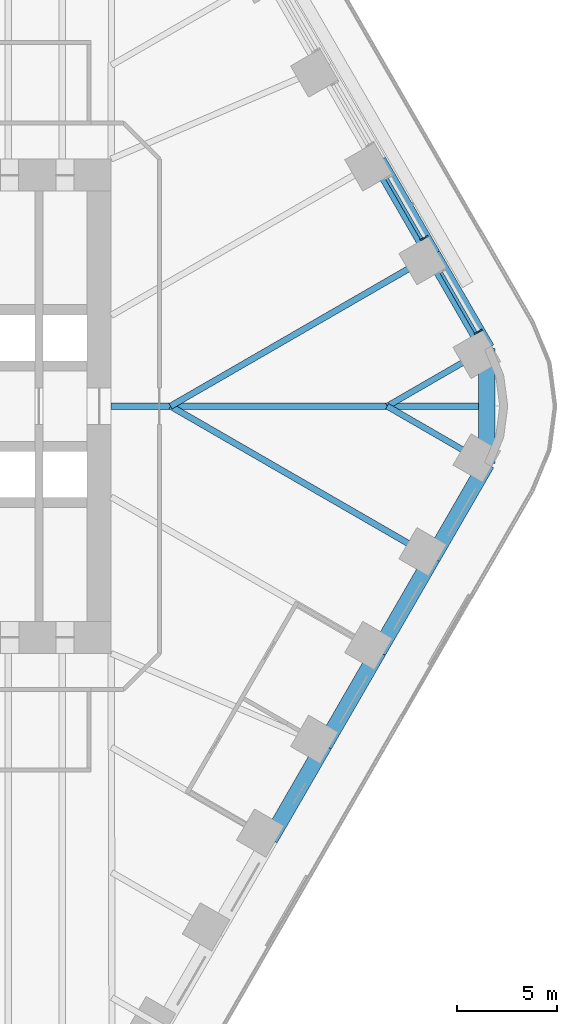
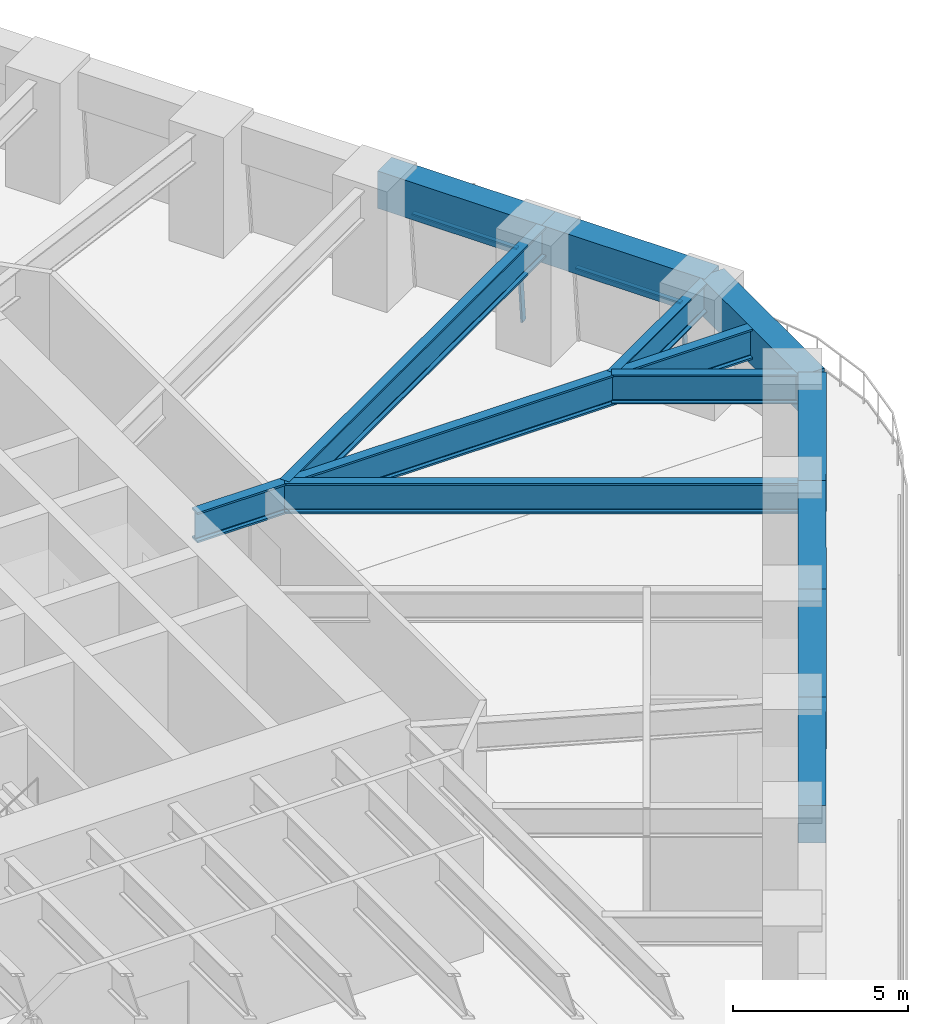
# One storey, part 12 of 23: 12 beams, 4 members, 2 elements without a shape of their own.
"""IFC4 building model written with IfcOpenShell, lengths in metres."""

from ifc_helpers import new_model, si_unit, direction, frame, origin, origin_2d, place, context, subcontext, project, spatial, rectangle, i_section, extrude, material, material_profile, profile_set, type_object, element, aggregate, save


model = new_model("IFC4")

# Units and contexts
model_context = context("Model", 3, precision=1e-05, world=origin(), true_north=direction((0.0, 1.0)))
body_context = subcontext(model_context, "Body", "Model", "MODEL_VIEW")
ifc_project = project(units=[si_unit("LENGTHUNIT", "METRE"), si_unit("AREAUNIT", "SQUARE_METRE"), si_unit("VOLUMEUNIT", "CUBIC_METRE"), si_unit("PLANEANGLEUNIT", "RADIAN"), si_unit("MASSUNIT", "GRAM", prefix="KILO")], contexts=[model_context])

# Site, building, storey
site_placement = place(None, origin())
site = spatial("IfcSite", under=ifc_project, at=site_placement, CompositionType="ELEMENT")
building_placement = place(site_placement, origin())
building = spatial("IfcBuilding", under=site, at=building_placement, Name="Tarfa Lantern Tower", CompositionType="ELEMENT")
storey_placement = place(building_placement, frame((0.0, 0.0, 86.5)))
storey = spatial("IfcBuildingStorey", under=building, at=storey_placement, Name="L19", CompositionType="ELEMENT", Elevation=86.5)

# Curtain wall, member
ifc_material_1 = material(Name="Aluminium framed curtain wall", Category="aluminium")
curtain_wall_type = type_object("IfcCurtainWallType", Name="CW1 CANTED GLAZING LOW ZONE 2700", PredefinedType="USERDEFINED", material=ifc_material_1)
curtain_wall_1_placement = place(storey_placement, origin())
curtain_wall_1 = element("IfcCurtainWall", 1, at=curtain_wall_1_placement, inside=storey, type_object=curtain_wall_type, Name="CW1 NE L19", ObjectType="CURTAIN WALL", PredefinedType="USERDEFINED")
ifc_material_2 = material(Name="Aluminium mullion", Category="aluminium")
ifc_material_profile_1 = material_profile(ifc_material_2, rectangle(XDim=0.06494140625, YDim=0.199951171875, at=origin_2d()), Name="AL MULLION 65x200")
ifc_profile_set_1 = profile_set([ifc_material_profile_1], Name="Aluminium mullion")
member_type_1 = type_object("IfcMemberType", Name="CWM1 MULLION 65x200", PredefinedType="MULLION", material=ifc_profile_set_1)
member_1_placement = place(storey_placement, frame((36.974853515625, 3.757568359375, 0.0), z_axis=(-0.07986442134, -0.046099868913, 0.99573916077), x_axis=(0.499919672301, -0.866071776036, 0.0)))
member_1 = element("IfcMember", 2, at=member_1_placement, type_object=member_type_1, Name="CW1 mullion 1", PredefinedType="MULLION", context=body_context, shape_type="SweptSolid", body=[
    extrude(rectangle(XDim=0.06494140625, YDim=0.199951171875, at=origin_2d()), origin(), (0.0, 0.0, 1.0), 2.71142578125),
])

curtain_wall_2_placement = place(storey_placement, origin())
curtain_wall_2 = element("IfcCurtainWall", 3, at=curtain_wall_2_placement, inside=storey, type_object=curtain_wall_type, Name="CW1 NE L19", ObjectType="CURTAIN WALL", PredefinedType="USERDEFINED")
member_2_placement = place(storey_placement, frame((34.280517578125, 8.42431640625, 0.0), z_axis=(-0.079774955866, -0.04610020023, 0.995746317068), x_axis=(0.500342721131, -0.865827443207, 0.0)))
member_2 = element("IfcMember", 4, at=member_2_placement, type_object=member_type_1, Name="CW1 mullion 1", PredefinedType="MULLION", context=body_context, shape_type="SweptSolid", body=[
    extrude(rectangle(XDim=0.06494140625, YDim=0.199951171875, at=origin_2d()), origin(), (0.0, 0.0, 1.0), 2.71142578125),
])

# Member
ifc_material_3 = material(Name="Aluminium transom", Category="aluminium")
ifc_material_profile_2 = material_profile(ifc_material_3, rectangle(XDim=0.14990234375, YDim=0.06494140625, at=origin_2d()), Name="AL TRANSOM 150x65")
ifc_profile_set_2 = profile_set([ifc_material_profile_2], Name="Aluminium transom")
member_type_2 = type_object("IfcMemberType", Name="CWT1 TRANSOM 150x65", PredefinedType="USERDEFINED", material=ifc_profile_set_2)
member_3_placement = place(storey_placement, frame((36.744873046875, 3.662109375, 2.66748046875), z_axis=(-0.500025915891, 0.866010440721, 0.0), x_axis=(-0.866010440721, -0.500025915891, 0.0)))
member_3 = element("IfcMember", 5, at=member_3_placement, type_object=member_type_2, Name="CW1 transom 1.2", ObjectType="TRANSOM", PredefinedType="USERDEFINED", context=body_context, shape_type="SweptSolid", body=[
    extrude(rectangle(XDim=0.14990234375, YDim=0.06494140625, at=origin_2d()), origin(), (0.0, 0.0, 1.0), 3.458740234375),
])

aggregate(curtain_wall_1, [member_1, member_3])

member_4_placement = place(storey_placement, frame((34.050537109375, 8.328857421875, 2.66748046875), z_axis=(-0.500025915891, 0.866010440721, 0.0), x_axis=(-0.866010440721, -0.500025915891, 0.0)))
member_4 = element("IfcMember", 6, at=member_4_placement, type_object=member_type_2, Name="CW1 transom 1.2", ObjectType="TRANSOM", PredefinedType="USERDEFINED", context=body_context, shape_type="SweptSolid", body=[
    extrude(rectangle(XDim=0.14990234375, YDim=0.06494140625, at=origin_2d()), origin(), (0.0, 0.0, 1.0), 3.458740234375),
])

aggregate(curtain_wall_2, [member_2, member_4])

# Beams
ifc_material_4 = material(Name="Concrete C80/95", Category="concrete")
ifc_material_profile_3 = material_profile(ifc_material_4, rectangle(XDim=0.800048828125, YDim=1.300048828125, at=origin_2d()), Name="RC 800x1300")
ifc_profile_set_3 = profile_set([ifc_material_profile_3], Name="Concrete C80/95")
beam_type_1 = type_object("IfcBeamType", Name="EB1 RC 800x1300", PredefinedType="SPANDREL", material=ifc_profile_set_3)
beam_1_placement = place(storey_placement, frame((37.285400390625, 2.860107421875, 3.35009765625), z_axis=(-0.500017906299, 0.866015065331, 0.0), x_axis=(-0.866015065331, -0.500017906299, 0.0)))
element("IfcBeam", 7, at=beam_1_placement, inside=storey, type_object=beam_type_1, Name="Edge beam NE0", PredefinedType="SPANDREL", context=body_context, shape_type="SweptSolid", body=[
    extrude(rectangle(XDim=0.800048828125, YDim=1.300048828125, at=origin_2d()), origin(), (0.0, 0.0, 1.0), 5.388427734375),
])
beam_2_placement = place(storey_placement, frame((34.591064453125, 7.526611328125, 3.35009765625), z_axis=(-0.499998287579, 0.866026392449, 0.0), x_axis=(-0.866026392449, -0.499998287579, 0.0)))
element("IfcBeam", 8, at=beam_2_placement, inside=storey, type_object=beam_type_1, Name="Edge beam NE1", PredefinedType="SPANDREL", context=body_context, shape_type="SweptSolid", body=[
    extrude(rectangle(XDim=0.800048828125, YDim=1.300048828125, at=origin_2d()), origin(), (0.0, 0.0, 1.0), 5.388671875),
])
beam_3_placement = place(storey_placement, frame((26.508056640625, -21.526611328125, 3.35009765625), z_axis=(0.500017906299, 0.866015065331, 0.0), x_axis=(-0.866015065331, 0.500017906299, 0.0)))
element("IfcBeam", 9, at=beam_3_placement, inside=storey, type_object=beam_type_1, Name="Edge beam SE2", PredefinedType="SPANDREL", context=body_context, shape_type="SweptSolid", body=[
    extrude(rectangle(XDim=0.800048828125, YDim=1.300048828125, at=origin_2d()), origin(), (0.0, 0.0, 1.0), 5.388427734375),
])
for number, where, z_axis, x_axis, name in (
    (10, (29.202392578125, -16.860107421875, 3.35009765625), (0.499998287579, 0.866026392449, 0.0), (-0.866026392449, 0.499998287579, 0.0), "Edge beam SE3"),
    (11, (31.896728515625, -12.193359375, 3.35009765625), (0.499998287579, 0.866026392449, 0.0), (-0.866026392449, 0.499998287579, 0.0), "Edge beam SE4"),
):
    element("IfcBeam", number, at=place(storey_placement, frame(where, z_axis=z_axis, x_axis=x_axis)), inside=storey, type_object=beam_type_1, Name=name, PredefinedType="SPANDREL", context=body_context, shape_type="SweptSolid", body=[
        extrude(rectangle(XDim=0.800048828125, YDim=1.300048828125, at=origin_2d()), origin(), (0.0, 0.0, 1.0), 5.388671875),
    ])
beam_4_placement = place(storey_placement, frame((34.591064453125, -7.526611328125, 3.35009765625), z_axis=(0.500017906299, 0.866015065331, 0.0), x_axis=(-0.866015065331, 0.500017906299, 0.0)))
element("IfcBeam", 12, at=beam_4_placement, inside=storey, type_object=beam_type_1, Name="Edge beam SE5", PredefinedType="SPANDREL", context=body_context, shape_type="SweptSolid", body=[
    extrude(rectangle(XDim=0.800048828125, YDim=1.300048828125, at=origin_2d()), origin(), (0.0, 0.0, 1.0), 5.388427734375),
])
beam_5_placement = place(storey_placement, frame((37.285400390625, -2.860107421875, 3.35009765625), z_axis=(0.0, 1.0, 0.0), x_axis=(-1.0, 0.0, 0.0)))
element("IfcBeam", 13, at=beam_5_placement, inside=storey, type_object=beam_type_1, Name="Edge beam SE6", PredefinedType="SPANDREL", context=body_context, shape_type="SweptSolid", body=[
    extrude(rectangle(XDim=0.800048828125, YDim=1.300048828125, at=origin_2d()), origin(), (0.0, 0.0, 1.0), 5.72021484375),
])
ifc_material_5 = material(Name="Steel S460M", Category="steel")
ifc_material_profile_4 = material_profile(ifc_material_5, i_section(OverallWidth=0.302001953125, OverallDepth=1.008056640625, WebThickness=0.02099609375, FlangeThickness=0.0400390625, FilletRadius=0.030029296875, at=origin_2d()), Name="UB1016x305x349")
ifc_profile_set_4 = profile_set([ifc_material_profile_4], Name="Steel S460M")
beam_type_2 = type_object("IfcBeamType", Name="UB1016x305x349", PredefinedType="BEAM", material=ifc_profile_set_4)
for number, where, z_axis, x_axis, name in (
    (14, (37.285400390625, 2.860107421875, 3.495849609375), (-0.866025668288, -0.499999541866, 0.0), (0.499999541866, -0.866025668288, 0.0), "Floor beam NE0"),
    (15, (37.285400390625, -2.860107421875, 3.495849609375), (-0.866025668288, 0.499999541866, 0.0), (-0.499999541866, -0.866025668288, 0.0), "Floor beam SE6"),
):
    element("IfcBeam", number, at=place(storey_placement, frame(where, z_axis=z_axis, x_axis=x_axis)), inside=storey, type_object=beam_type_2, Name=name, PredefinedType="BEAM", context=body_context, shape_type="SweptSolid", body=[
        extrude(i_section(OverallWidth=0.302001953125, OverallDepth=1.008056640625, WebThickness=0.02099609375, FlangeThickness=0.0400390625, FilletRadius=0.030029296875, at=origin_2d()), origin(), (0.0, 0.0, 1.0), 5.72021484375),
    ])
ifc_material_profile_5 = material_profile(ifc_material_5, i_section(OverallWidth=0.314208984375, OverallDepth=1.055908203125, WebThickness=0.035888671875, FlangeThickness=0.06396484375, FilletRadius=0.030029296875, at=origin_2d()), Name="UB1016x305x584")
ifc_profile_set_5 = profile_set([ifc_material_profile_5], Name="Steel S460M")
beam_type_3 = type_object("IfcBeamType", Name="UB1016x305x584", PredefinedType="BEAM", material=ifc_profile_set_5)
beam_6_placement = place(storey_placement, frame((18.60009765625, 0.0, 3.471923828125), z_axis=(1.0, 0.0, 0.0), x_axis=(0.0, 1.0, 0.0)))
element("IfcBeam", 16, at=beam_6_placement, inside=storey, type_object=beam_type_3, Name="Hip girder E", PredefinedType="BEAM", context=body_context, shape_type="SweptSolid", body=[
    extrude(i_section(OverallWidth=0.314208984375, OverallDepth=1.055908203125, WebThickness=0.035888671875, FlangeThickness=0.06396484375, FilletRadius=0.030029296875, at=origin_2d()), origin(), (0.0, 0.0, 1.0), 18.685302734375),
])
for number, where, z_axis, x_axis, name in (
    (17, (34.591064453125, 7.526611328125, 3.471923828125), (-0.86602785945, -0.499995746638, 0.0), (0.499995746638, -0.86602785945, 0.0), "Floor beam NE1"),
    (18, (34.591064453125, -7.526611328125, 3.471923828125), (-0.86602785945, 0.499995746638, 0.0), (-0.499995746638, -0.86602785945, 0.0), "Floor beam SE5"),
):
    element("IfcBeam", number, at=place(storey_placement, frame(where, z_axis=z_axis, x_axis=x_axis)), inside=storey, type_object=beam_type_3, Name=name, PredefinedType="BEAM", context=body_context, shape_type="SweptSolid", body=[
        extrude(i_section(OverallWidth=0.314208984375, OverallDepth=1.055908203125, WebThickness=0.035888671875, FlangeThickness=0.06396484375, FilletRadius=0.030029296875, at=origin_2d()), origin(), (0.0, 0.0, 1.0), 15.053466796875),
    ])

save(model, "model.ifc")
